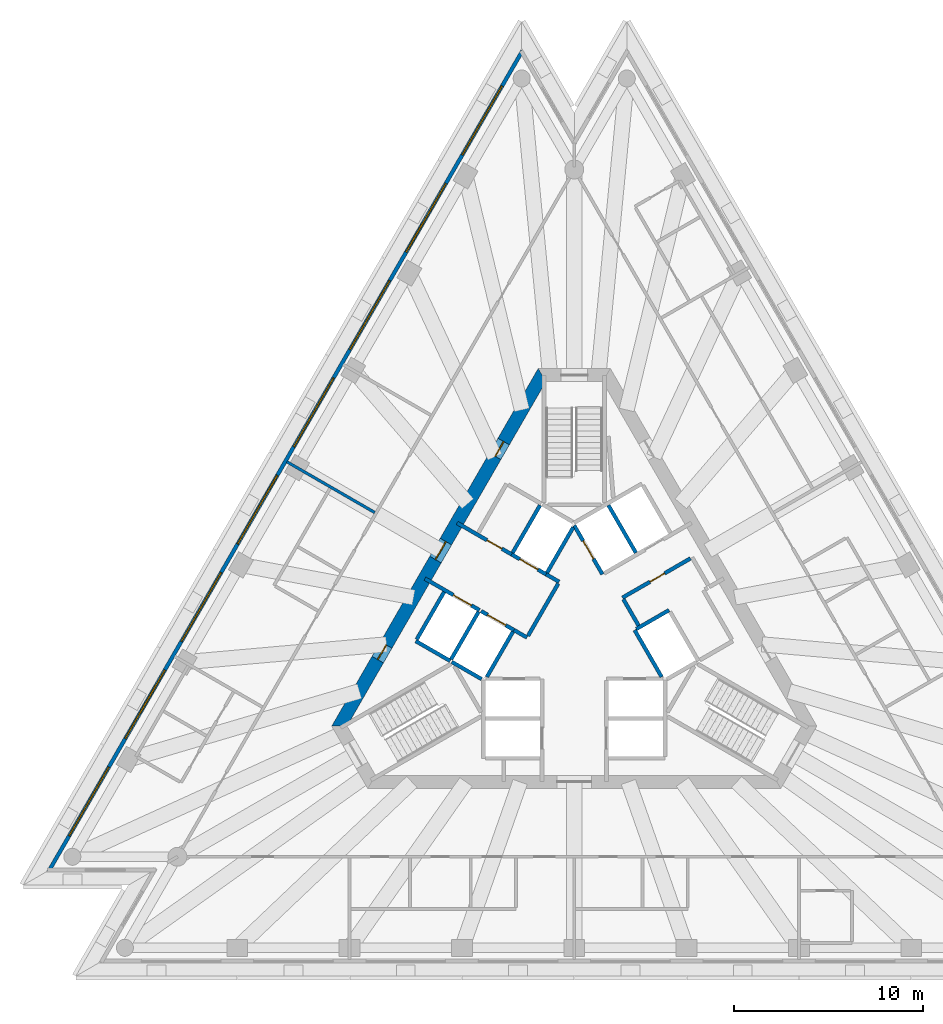
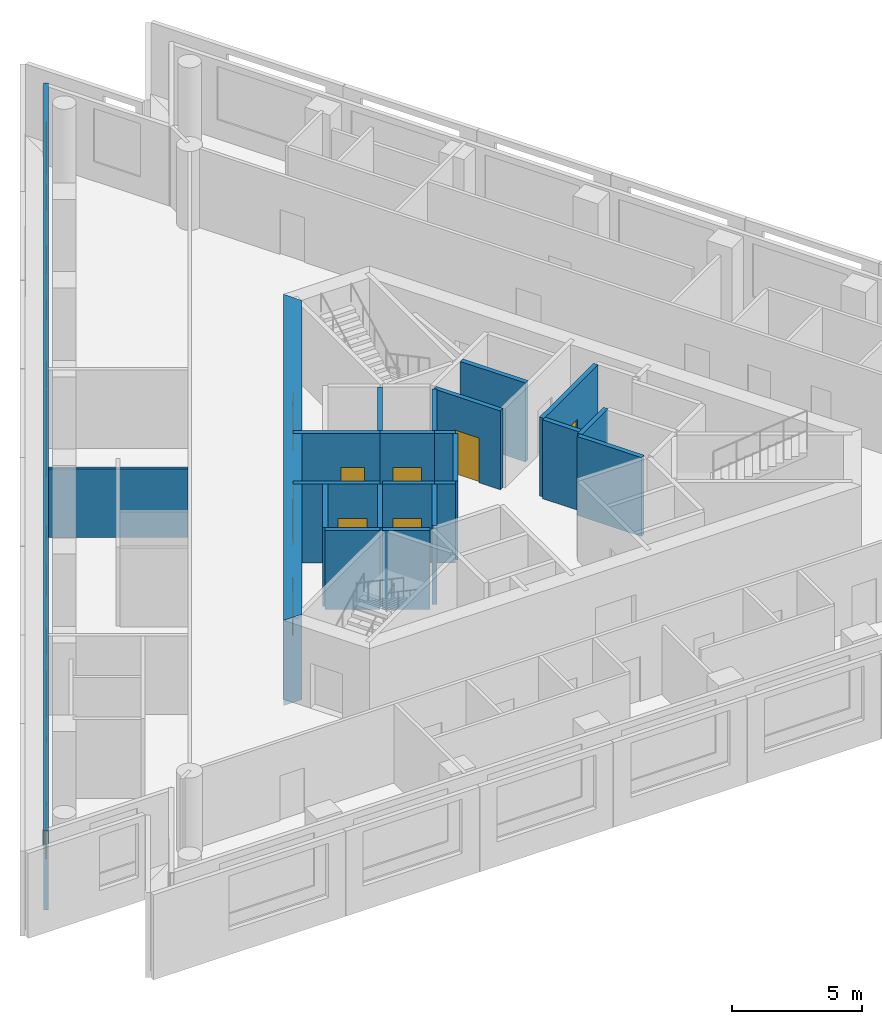
# One storey, part 4 of 9: 23 walls, 9 doors, 8 windows, 17 openings.
"""IFC4 building model written with IfcOpenShell, lengths in metres."""

from ifc_helpers import new_model, si_unit, direction, frame, frame_2d, origin, place, context, subcontext, project, spatial, polyline, rectangle, outline, extrude, material, layer, layer_set, layer_usage, type_object, element, fill, save


model = new_model("IFC4")

# Units and contexts
model_context = context("Model", 3, precision=1e-05, world=origin(), true_north=direction((0.0, 1.0)))
body_context = subcontext(model_context, "Body", "Model", "MODEL_VIEW")
ifc_project = project(units=[si_unit("LENGTHUNIT", "METRE"), si_unit("AREAUNIT", "SQUARE_METRE"), si_unit("VOLUMEUNIT", "CUBIC_METRE"), si_unit("PLANEANGLEUNIT", "RADIAN"), si_unit("MASSUNIT", "GRAM", prefix="KILO")], contexts=[model_context])

# Site, building, storey
site_placement = place(None, origin())
site = spatial("IfcSite", under=ifc_project, at=site_placement, CompositionType="ELEMENT")
building_placement = place(site_placement, origin())
building = spatial("IfcBuilding", under=site, at=building_placement, Name="Triada Interchange Tower", CompositionType="ELEMENT")
storey_placement = place(building_placement, frame((0.0, 0.0, 235.300048828125)))
storey = spatial("IfcBuildingStorey", under=building, at=storey_placement, Name="L55", CompositionType="ELEMENT", Elevation=235.300048828125)

# Walls
ifc_material_1 = material(Name="Concrete C30/37", Category="concrete")
ifc_layer_1 = layer(ifc_material_1, 0.199951171875)
ifc_layer_set_1 = layer_set([ifc_layer_1], Name="CORE WALL 200 EI 120")
wall_type_1 = type_object("IfcWallType", Name="CORE WALL 200 EI 120", PredefinedType="SOLIDWALL", material=ifc_layer_set_1)
wall_1_placement = place(storey_placement, frame((-8.3759765625, -0.70703125, 0.0), z_axis=(0.0, 0.0, 1.0), x_axis=(0.866067520717, -0.499927044236, 0.0)))
element("IfcWall", 1, at=wall_1_placement, inside=storey, type_object=wall_type_1, Name="Wall L53 42", PredefinedType="SOLIDWALL", context=body_context, shape_type="SweptSolid", body=[
    extrude(rectangle(XDim=2.100341796875, YDim=0.199951171875, at=frame_2d((1.05029296875, 0.0))), origin(), (0.0, 0.0, 1.0), 3.699951171875),
])
wall_2_placement = place(storey_placement, frame((-8.325927734375, -0.6201171875, 0.0), z_axis=(0.0, 0.0, 1.0), x_axis=(0.500023687443, 0.866011727401, 0.0)))
element("IfcWall", 2, at=wall_2_placement, inside=storey, type_object=wall_type_1, Name="Wall L53 43", PredefinedType="SOLIDWALL", context=body_context, shape_type="SweptSolid", body=[
    extrude(rectangle(XDim=2.899658203125, YDim=0.199951171875, at=frame_2d((1.44970703125, 0.0))), origin(), (0.0, 0.0, 1.0), 3.699951171875),
])

# Wall, opening, door
wall_3_placement = place(storey_placement, frame((0.0, 5.39990234375, 0.0), z_axis=(0.0, 0.0, 1.0), x_axis=(0.500103862429, -0.865965430478, 0.0)))
wall_3 = element("IfcWall", 3, at=wall_3_placement, inside=storey, type_object=wall_type_1, Name="Wall L53 53", PredefinedType="SOLIDWALL", context=body_context, shape_type="SweptSolid", body=[
    extrude(rectangle(XDim=2.973388671875, YDim=0.199951171875, at=frame_2d((1.48681640625, 0.0))), origin(), (0.0, 0.0, 1.0), 3.699951171875),
])
opening_1_placement = place(wall_3_placement, frame((0.93701171875, 0.0, 0.0)))
opening_1 = element("IfcOpeningElement", 4, at=opening_1_placement, cuts=wall_3, Name="Opening LD-HR5", PredefinedType="OPENING", context=body_context, shape_type="SweptSolid", body=[
    extrude(rectangle(XDim=1.10009765625, YDim=2.10009765625, at=frame_2d((0.550048828125, 1.050048828125))), frame((0.0, 0.10986328125, 0.0), z_axis=(0.0, -1.0, 0.0), x_axis=(1.0, 0.0, 0.0)), (0.0, 0.0, 1.0), 0.219970703125),
])
ifc_material_2 = material(Name="Steel S235 door leaf", Category="steel")
door_type_1 = type_object("IfcDoorType", Name="LIFT LANDING DOOR 1100 EI 120", OperationType="SLIDING_TO_LEFT", PredefinedType="DOOR", material=ifc_material_2)
door_1_placement = place(opening_1_placement, origin())
door_1 = element("IfcDoor", 5, at=door_1_placement, inside=storey, type_object=door_type_1, Name="HR5 landing door L55", OperationType="SLIDING_TO_LEFT", OverallHeight=2.10009765625, OverallWidth=1.10009765625, PredefinedType="DOOR", context=body_context, shape_type="SweptSolid", body=[
    extrude(rectangle(XDim=1.10009765625, YDim=2.10009765625, at=frame_2d((0.550048828125, 1.050048828125))), frame((0.0, 0.02490234375, 0.0), z_axis=(0.0, -1.0, 0.0), x_axis=(1.0, 0.0, 0.0)), (0.0, 0.0, 1.0), 0.050048828125),
])
fill(opening_1, door_1)

# Walls
wall_4_placement = place(storey_placement, frame((3.18994140625, -0.125, 0.0), z_axis=(0.0, 0.0, 1.0), x_axis=(0.499988658015, -0.866031951983, 0.0)))
element("IfcWall", 6, at=wall_4_placement, inside=storey, type_object=wall_type_1, Name="Wall L53 54", PredefinedType="SOLIDWALL", context=body_context, shape_type="SweptSolid", body=[
    extrude(rectangle(XDim=2.85791015625, YDim=0.199951171875, at=frame_2d((1.428955078125, 0.0))), origin(), (0.0, 0.0, 1.0), 3.699951171875),
])
wall_5_placement = place(storey_placement, frame((3.278076171875, -0.071044921875, 0.0), z_axis=(0.0, 0.0, 1.0), x_axis=(0.865855657918, 0.500293893279, 0.0)))
element("IfcWall", 7, at=wall_5_placement, inside=storey, type_object=wall_type_1, Name="Wall L53 58", PredefinedType="SOLIDWALL", context=body_context, shape_type="SweptSolid", body=[
    extrude(rectangle(XDim=1.996826171875, YDim=0.199951171875, at=frame_2d((0.99853515625, 0.0))), origin(), (0.0, 0.0, 1.0), 3.699951171875),
])
wall_6_placement = place(storey_placement, frame((1.806884765625, 6.469970703125, 0.0), z_axis=(0.0, 0.0, 1.0), x_axis=(0.50012328804, -0.865954211699, 0.0)))
element("IfcWall", 8, at=wall_6_placement, inside=storey, type_object=wall_type_1, Name="Wall L53 61", PredefinedType="SOLIDWALL", context=body_context, shape_type="SweptSolid", body=[
    extrude(rectangle(XDim=2.899658203125, YDim=0.199951171875, at=frame_2d((1.44970703125, 0.0))), origin(), (0.0, 0.0, 1.0), 3.699951171875),
])

# Wall, opening, door
wall_7_placement = place(storey_placement, frame((2.548095703125, 1.5869140625, 0.0), z_axis=(0.0, 0.0, 1.0), x_axis=(0.866004344652, 0.500036473714, 0.0)))
wall_7 = element("IfcWall", 9, at=wall_7_placement, inside=storey, type_object=wall_type_1, Name="Wall L53 65", PredefinedType="SOLIDWALL", context=body_context, shape_type="SweptSolid", body=[
    extrude(rectangle(XDim=4.150146484375, YDim=0.199951171875, at=frame_2d((2.0751953125, 0.0))), origin(), (0.0, 0.0, 1.0), 3.699951171875),
])
opening_2_placement = place(wall_7_placement, frame((1.675048828125, 0.0, 0.0)))
opening_2 = element("IfcOpeningElement", 10, at=opening_2_placement, cuts=wall_7, Name="Opening D53-48", PredefinedType="OPENING", context=body_context, shape_type="SweptSolid", body=[
    extrude(rectangle(XDim=0.89990234375, YDim=2.10009765625, at=frame_2d((0.449951171875, 1.050048828125))), frame((0.0, 0.10986328125, 0.0), z_axis=(0.0, -1.0, 0.0), x_axis=(1.0, 0.0, 0.0)), (0.0, 0.0, 1.0), 0.219970703125),
])
door_type_2 = type_object("IfcDoorType", Name="SERVICE DOOR 900 EI2 45-C5S200", OperationType="NOTDEFINED", PredefinedType="DOOR", material=ifc_material_2)
door_2_placement = place(opening_2_placement, origin())
door_2 = element("IfcDoor", 11, at=door_2_placement, inside=storey, type_object=door_type_2, Name="Door D53-48 L55", OperationType="SINGLE_SWING_RIGHT", OverallHeight=2.10009765625, OverallWidth=0.89990234375, PredefinedType="DOOR", context=body_context, shape_type="SweptSolid", body=[
    extrude(rectangle(XDim=0.89990234375, YDim=2.10009765625, at=frame_2d((0.449951171875, 1.050048828125))), frame((0.0, 0.02490234375, 0.0), z_axis=(0.0, -1.0, 0.0), x_axis=(1.0, 0.0, 0.0)), (0.0, 0.0, 1.0), 0.050048828125),
])
fill(opening_2, door_2)

# Wall
wall_8_placement = place(storey_placement, frame((2.597900390625, 1.5, 0.0), z_axis=(0.0, 0.0, 1.0), x_axis=(0.499929347863, -0.866066190972, 0.0)))
element("IfcWall", 12, at=wall_8_placement, inside=storey, type_object=wall_type_1, Name="Wall L53 66", PredefinedType="SOLIDWALL", context=body_context, shape_type="SweptSolid", body=[
    extrude(rectangle(XDim=1.600341796875, YDim=0.199951171875, at=frame_2d((0.80029296875, 0.0))), origin(), (0.0, 0.0, 1.0), 3.699951171875),
])

# Wall, opening, door
ifc_layer_2 = layer(ifc_material_1, 0.199951171875)
ifc_layer_set_2 = layer_set([ifc_layer_2], Name="CORE WALL 200 EI 180")
wall_type_2 = type_object("IfcWallType", Name="CORE WALL 200 EI 180", PredefinedType="SOLIDWALL", material=ifc_layer_set_2)
wall_9_placement = place(storey_placement, frame((-7.89111328125, 2.593017578125, 0.0), z_axis=(0.0, 0.0, 1.0), x_axis=(0.866070917804, -0.499921159118, 0.0)))
wall_9 = element("IfcWall", 13, at=wall_9_placement, inside=storey, type_object=wall_type_2, Name="Wall L53 67", PredefinedType="SOLIDWALL", context=body_context, shape_type="SweptSolid", body=[
    extrude(rectangle(XDim=3.33251953125, YDim=0.199951171875, at=frame_2d((1.666259765625, 0.0))), origin(), (0.0, 0.0, 1.0), 3.699951171875),
])
opening_3_placement = place(wall_9_placement, frame((1.72998046875, 0.0, 0.0)))
opening_3 = element("IfcOpeningElement", 14, at=opening_3_placement, cuts=wall_9, Name="Opening LD-SV1", PredefinedType="OPENING", context=body_context, shape_type="SweptSolid", body=[
    extrude(rectangle(XDim=1.10009765625, YDim=2.10009765625, at=frame_2d((0.550048828125, 1.050048828125))), frame((0.0, 0.10986328125, 0.0), z_axis=(0.0, -1.0, 0.0), x_axis=(1.0, 0.0, 0.0)), (0.0, 0.0, 1.0), 0.219970703125),
])
door_3_placement = place(opening_3_placement, origin())
door_3 = element("IfcDoor", 15, at=door_3_placement, inside=storey, type_object=door_type_1, Name="SV1 landing door L55", OperationType="SLIDING_TO_LEFT", OverallHeight=2.10009765625, OverallWidth=1.10009765625, PredefinedType="DOOR", context=body_context, shape_type="SweptSolid", body=[
    extrude(rectangle(XDim=1.10009765625, YDim=2.10009765625, at=frame_2d((0.550048828125, 1.050048828125))), frame((0.0, 0.02490234375, 0.0), z_axis=(0.0, -1.0, 0.0), x_axis=(1.0, 0.0, 0.0)), (0.0, 0.0, 1.0), 0.050048828125),
])
fill(opening_3, door_3)

# Wall
wall_10_placement = place(storey_placement, frame((-3.18798828125, -0.1220703125, 0.0), z_axis=(0.0, 0.0, 1.0), x_axis=(0.865705793592, -0.50055317294, 0.0)))
element("IfcWall", 16, at=wall_10_placement, inside=storey, type_object=wall_type_2, Name="Wall L53 68", PredefinedType="SOLIDWALL", context=body_context, shape_type="SweptSolid", body=[
    extrude(rectangle(XDim=0.796875, YDim=0.199951171875, at=frame_2d((0.3984375, 0.0))), origin(), (0.0, 0.0, 1.0), 3.699951171875),
])

# Wall, opening, door
wall_11_placement = place(storey_placement, frame((-6.19091796875, 5.537109375, 0.0), z_axis=(0.0, 0.0, 1.0), x_axis=(0.866052607023, -0.499952879648, 0.0)))
wall_11 = element("IfcWall", 17, at=wall_11_placement, inside=storey, type_object=wall_type_2, Name="Wall L53 69", PredefinedType="SOLIDWALL", context=body_context, shape_type="SweptSolid", body=[
    extrude(rectangle(XDim=3.332275390625, YDim=0.199951171875, at=frame_2d((1.666015625, 0.0))), origin(), (0.0, 0.0, 1.0), 3.699951171875),
])
opening_4_placement = place(wall_11_placement, frame((1.830078125, 0.0, 0.0)))
opening_4 = element("IfcOpeningElement", 18, at=opening_4_placement, cuts=wall_11, Name="Opening D53-10", PredefinedType="OPENING", context=body_context, shape_type="SweptSolid", body=[
    extrude(rectangle(XDim=0.89990234375, YDim=2.10009765625, at=frame_2d((0.449951171875, 1.050048828125))), frame((0.0, 0.10986328125, 0.0), z_axis=(0.0, -1.0, 0.0), x_axis=(1.0, 0.0, 0.0)), (0.0, 0.0, 1.0), 0.219970703125),
])
door_type_3 = type_object("IfcDoorType", Name="SERVICE DOOR 900 EI2 90-C5S200", OperationType="NOTDEFINED", PredefinedType="DOOR", material=ifc_material_2)
door_4_placement = place(opening_4_placement, origin())
door_4 = element("IfcDoor", 19, at=door_4_placement, inside=storey, type_object=door_type_3, Name="Door D53-10 L55", OperationType="SINGLE_SWING_LEFT", OverallHeight=2.10009765625, OverallWidth=0.89990234375, PredefinedType="DOOR", context=body_context, shape_type="SweptSolid", body=[
    extrude(rectangle(XDim=0.89990234375, YDim=2.10009765625, at=frame_2d((0.449951171875, 1.050048828125))), frame((0.0, 0.02490234375, 0.0), z_axis=(0.0, -1.0, 0.0), x_axis=(1.0, 0.0, 0.0)), (0.0, 0.0, 1.0), 0.050048828125),
])
fill(opening_4, door_4)

# Walls
wall_12_placement = place(storey_placement, frame((-1.488037109375, 2.822021484375, 0.0), z_axis=(0.0, 0.0, 1.0), x_axis=(0.866236612152, -0.499633997809, 0.0)))
element("IfcWall", 20, at=wall_12_placement, inside=storey, type_object=wall_type_2, Name="Wall L53 70", PredefinedType="SOLIDWALL", context=body_context, shape_type="SweptSolid", body=[
    extrude(rectangle(XDim=0.79638671875, YDim=0.199951171875, at=frame_2d((0.398193359375, 0.0))), origin(), (0.0, 0.0, 1.0), 3.699951171875),
])
wall_13_placement = place(storey_placement, frame((-2.444091796875, -0.43310546875, 0.0), z_axis=(0.0, 0.0, 1.0), x_axis=(0.500035624827, 0.866004834804, 0.0)))
element("IfcWall", 21, at=wall_13_placement, inside=storey, type_object=wall_type_2, Name="Wall L53 73", PredefinedType="SOLIDWALL", context=body_context, shape_type="SweptSolid", body=[
    extrude(rectangle(XDim=3.194091796875, YDim=0.199951171875, at=frame_2d((1.59716796875, 0.0))), origin(), (0.0, 0.0, 1.0), 3.699951171875),
])
wall_14_placement = place(storey_placement, frame((-6.507080078125, -1.669921875, 0.0), z_axis=(0.0, 0.0, 1.0), x_axis=(0.50012328804, 0.865954211699, 0.0)))
element("IfcWall", 22, at=wall_14_placement, inside=storey, type_object=wall_type_2, Name="Shaft wall FF1 L53 74", PredefinedType="SOLIDWALL", context=body_context, shape_type="SweptSolid", body=[
    extrude(rectangle(XDim=2.899658203125, YDim=0.199951171875, at=frame_2d((1.44970703125, 0.0))), origin(), (0.0, 0.0, 1.0), 3.699951171875),
])
wall_15_placement = place(storey_placement, frame((-6.469970703125, -1.806884765625, 0.0), z_axis=(0.0, 0.0, 1.0), x_axis=(0.865883195159, -0.500246231712, 0.0)))
element("IfcWall", 23, at=wall_15_placement, inside=storey, type_object=wall_type_2, Name="Shaft wall FF1 L53 75", PredefinedType="SOLIDWALL", context=body_context, shape_type="SweptSolid", body=[
    extrude(rectangle(XDim=1.8154296875, YDim=0.199951171875, at=frame_2d((0.90771484375, 0.0))), origin(), (0.0, 0.0, 1.0), 3.699951171875),
])

# Wall, opening, door
wall_16_placement = place(storey_placement, frame((-4.922119140625, 0.87890625, 0.0), z_axis=(0.0, 0.0, 1.0), x_axis=(0.866073918653, -0.499915960366, 0.0)))
wall_16 = element("IfcWall", 24, at=wall_16_placement, inside=storey, type_object=wall_type_2, Name="Shaft wall FF1 L53 76", PredefinedType="SOLIDWALL", context=body_context, shape_type="SweptSolid", body=[
    extrude(rectangle(XDim=2.002197265625, YDim=0.199951171875, at=frame_2d((1.0009765625, 0.0))), origin(), (0.0, 0.0, 1.0), 3.699951171875),
])
opening_5_placement = place(wall_16_placement, frame((0.402099609375, 0.0, 0.0)))
opening_5 = element("IfcOpeningElement", 25, at=opening_5_placement, cuts=wall_16, Name="Opening LD-FF1", PredefinedType="OPENING", context=body_context, shape_type="SweptSolid", body=[
    extrude(rectangle(XDim=1.10009765625, YDim=2.10009765625, at=frame_2d((0.550048828125, 1.050048828125))), frame((0.0, 0.10986328125, 0.0), z_axis=(0.0, -1.0, 0.0), x_axis=(1.0, 0.0, 0.0)), (0.0, 0.0, 1.0), 0.219970703125),
])
door_5_placement = place(opening_5_placement, origin())
door_5 = element("IfcDoor", 26, at=door_5_placement, inside=storey, type_object=door_type_1, Name="FF1 landing door L55", OperationType="SLIDING_TO_LEFT", OverallHeight=2.10009765625, OverallWidth=1.10009765625, PredefinedType="DOOR", context=body_context, shape_type="SweptSolid", body=[
    extrude(rectangle(XDim=1.10009765625, YDim=2.10009765625, at=frame_2d((0.550048828125, 1.050048828125))), frame((0.0, 0.02490234375, 0.0), z_axis=(0.0, -1.0, 0.0), x_axis=(1.0, 0.0, 0.0)), (0.0, 0.0, 1.0), 0.050048828125),
])
fill(opening_5, door_5)

# Wall
wall_17_placement = place(storey_placement, frame((-4.618896484375, -2.60009765625, 0.0), z_axis=(0.0, 0.0, 1.0), x_axis=(0.50009492287, 0.865970593103, 0.0)))
element("IfcWall", 27, at=wall_17_placement, inside=storey, type_object=wall_type_2, Name="Shaft wall FF1 L53 77", PredefinedType="SOLIDWALL", context=body_context, shape_type="SweptSolid", body=[
    extrude(rectangle(XDim=2.76123046875, YDim=0.199951171875, at=frame_2d((1.380615234375, 0.0))), origin(), (0.0, 0.0, 1.0), 3.699951171875),
])

# Wall, opening, door
wall_18_placement = place(storey_placement, frame((-3.30908203125, 3.873046875, 0.0), z_axis=(0.0, 0.0, 1.0), x_axis=(0.866098583652, -0.499873227325, 0.0)))
wall_18 = element("IfcWall", 28, at=wall_18_placement, inside=storey, type_object=wall_type_2, Name="Shaft wall FF2 L53 78", PredefinedType="SOLIDWALL", context=body_context, shape_type="SweptSolid", body=[
    extrude(rectangle(XDim=2.1025390625, YDim=0.199951171875, at=frame_2d((1.05126953125, 0.0))), origin(), (0.0, 0.0, 1.0), 3.699951171875),
])
opening_6_placement = place(wall_18_placement, frame((0.501953125, 0.0, 0.0)))
opening_6 = element("IfcOpeningElement", 29, at=opening_6_placement, cuts=wall_18, Name="Opening LD-FF2", PredefinedType="OPENING", context=body_context, shape_type="SweptSolid", body=[
    extrude(rectangle(XDim=1.10009765625, YDim=2.10009765625, at=frame_2d((0.550048828125, 1.050048828125))), frame((0.0, 0.10986328125, 0.0), z_axis=(0.0, -1.0, 0.0), x_axis=(1.0, 0.0, 0.0)), (0.0, 0.0, 1.0), 0.219970703125),
])
door_6_placement = place(opening_6_placement, origin())
door_6 = element("IfcDoor", 30, at=door_6_placement, inside=storey, type_object=door_type_1, Name="FF2 landing door L55", OperationType="SLIDING_TO_LEFT", OverallHeight=2.10009765625, OverallWidth=1.10009765625, PredefinedType="DOOR", context=body_context, shape_type="SweptSolid", body=[
    extrude(rectangle(XDim=1.10009765625, YDim=2.10009765625, at=frame_2d((0.550048828125, 1.050048828125))), frame((0.0, 0.02490234375, 0.0), z_axis=(0.0, -1.0, 0.0), x_axis=(1.0, 0.0, 0.0)), (0.0, 0.0, 1.0), 0.050048828125),
])
fill(opening_6, door_6)

# Walls
wall_19_placement = place(storey_placement, frame((-3.257080078125, 3.958984375, 0.0), z_axis=(0.0, 0.0, 1.0), x_axis=(0.50012328804, 0.865954211699, 0.0)))
element("IfcWall", 31, at=wall_19_placement, inside=storey, type_object=wall_type_2, Name="Shaft wall FF2 L53 79", PredefinedType="SOLIDWALL", context=body_context, shape_type="SweptSolid", body=[
    extrude(rectangle(XDim=2.899658203125, YDim=0.199951171875, at=frame_2d((1.44970703125, 0.0))), origin(), (0.0, 0.0, 1.0), 3.699951171875),
])
wall_20_placement = place(storey_placement, frame((-1.43798828125, 2.908935546875, 0.0), z_axis=(0.0, 0.0, 1.0), x_axis=(0.499829630636, 0.866123744241, 0.0)))
element("IfcWall", 32, at=wall_20_placement, inside=storey, type_object=wall_type_2, Name="Shaft wall FF2 L53 81", PredefinedType="SOLIDWALL", context=body_context, shape_type="SweptSolid", body=[
    extrude(rectangle(XDim=2.7607421875, YDim=0.199951171875, at=frame_2d((1.38037109375, 0.0))), origin(), (0.0, 0.0, 1.0), 3.699951171875),
])

# Wall, openings, doors
ifc_material_3 = material(Name="Concrete C50/60", Category="concrete")
ifc_layer_3 = layer(ifc_material_3, 0.699951171875)
ifc_layer_set_3 = layer_set([ifc_layer_3], Name="Core wall C 700")
wall_type_3 = type_object("IfcWallType", Name="Core wall C 700", PredefinedType="SHEAR", material=ifc_layer_set_3)
wall_21_placement = place(storey_placement, frame((-1.702880859375, 13.35009765625, -0.300048828125), z_axis=(0.0, 0.0, 1.0), x_axis=(-0.500011533395, -0.866018744874, 0.0)))
wall_21 = element("IfcWall", 33, at=wall_21_placement, inside=storey, type_object=wall_type_3, Name="Core wall WC02 L55", PredefinedType="SHEAR", context=body_context, shape_type="SweptSolid", body=[
    extrude(outline(polyline([(-0.201904296875, -0.35009765625), (1.781982421875, -0.35009765625), (3.76611328125, -0.35009765625), (5.75, -0.35009765625), (7.734130859375, -0.35009765625), (9.718017578125, -0.35009765625), (11.7021484375, -0.35009765625), (13.68603515625, -0.35009765625), (15.670166015625, -0.35009765625), (17.654052734375, -0.35009765625), (19.63818359375, -0.35009765625), (21.6220703125, -0.35009765625), (21.218017578125, 0.35009765625), (19.307373046875, 0.35009765625), (17.39697265625, 0.35009765625), (15.486328125, 0.35009765625), (13.57568359375, 0.35009765625), (11.665283203125, 0.35009765625), (9.754638671875, 0.35009765625), (7.84423828125, 0.35009765625), (5.93359375, 0.35009765625), (4.02294921875, 0.35009765625), (2.112548828125, 0.35009765625), (0.201904296875, 0.35009765625), (-0.201904296875, -0.35009765625)])), origin(), (0.0, 0.0, 1.0), 4.0),
])
opening_7_placement = place(wall_21_placement, frame((10.159912109375, 0.0, 0.300048828125)))
opening_7 = element("IfcOpeningElement", 34, at=opening_7_placement, cuts=wall_21, Name="Opening D53-43", PredefinedType="OPENING", context=body_context, shape_type="SweptSolid", body=[
    extrude(rectangle(XDim=1.10009765625, YDim=2.10009765625, at=frame_2d((0.550048828125, 1.050048828125))), frame((0.0, 0.360107421875, 0.0), z_axis=(0.0, -1.0, 0.0), x_axis=(1.0, 0.0, 0.0)), (0.0, 0.0, 1.0), 0.72021484375),
])
opening_8_placement = place(wall_21_placement, frame((16.465087890625, 0.0, 0.300048828125)))
opening_8 = element("IfcOpeningElement", 35, at=opening_8_placement, cuts=wall_21, Name="Opening D53-44", PredefinedType="OPENING", context=body_context, shape_type="SweptSolid", body=[
    extrude(rectangle(XDim=0.89990234375, YDim=2.10009765625, at=frame_2d((0.449951171875, 1.050048828125))), frame((0.0, 0.360107421875, 0.0), z_axis=(0.0, -1.0, 0.0), x_axis=(1.0, 0.0, 0.0)), (0.0, 0.0, 1.0), 0.72021484375),
])
opening_9_placement = place(wall_21_placement, frame((4.054931640625, 0.0, 0.300048828125)))
opening_9 = element("IfcOpeningElement", 36, at=opening_9_placement, cuts=wall_21, Name="Opening D53-46", PredefinedType="OPENING", context=body_context, shape_type="SweptSolid", body=[
    extrude(rectangle(XDim=0.89990234375, YDim=2.10009765625, at=frame_2d((0.449951171875, 1.050048828125))), frame((0.0, 0.360107421875, 0.0), z_axis=(0.0, -1.0, 0.0), x_axis=(1.0, 0.0, 0.0)), (0.0, 0.0, 1.0), 0.72021484375),
])
door_type_4 = type_object("IfcDoorType", Name="FIRE LOBBY DOOR 1100 EI2 90-C5S200", OperationType="NOTDEFINED", PredefinedType="DOOR", material=ifc_material_2)
door_7_placement = place(opening_7_placement, origin())
door_7 = element("IfcDoor", 37, at=door_7_placement, inside=storey, type_object=door_type_4, Name="Door D53-43 L55", OperationType="SINGLE_SWING_RIGHT", OverallHeight=2.10009765625, OverallWidth=1.10009765625, PredefinedType="DOOR", context=body_context, shape_type="SweptSolid", body=[
    extrude(rectangle(XDim=1.10009765625, YDim=2.10009765625, at=frame_2d((0.550048828125, 1.050048828125))), frame((0.0, 0.02490234375, 0.0), z_axis=(0.0, -1.0, 0.0), x_axis=(1.0, 0.0, 0.0)), (0.0, 0.0, 1.0), 0.050048828125),
])
fill(opening_7, door_7)
door_type_5 = type_object("IfcDoorType", Name="RISER ACCESS DOOR 900 EI2 45-C5S200", OperationType="NOTDEFINED", PredefinedType="DOOR", material=ifc_material_2)
door_8_placement = place(opening_8_placement, origin())
door_8 = element("IfcDoor", 38, at=door_8_placement, inside=storey, type_object=door_type_5, Name="Door D53-44 L55", OperationType="SINGLE_SWING_RIGHT", OverallHeight=2.10009765625, OverallWidth=0.89990234375, PredefinedType="DOOR", context=body_context, shape_type="SweptSolid", body=[
    extrude(rectangle(XDim=0.89990234375, YDim=2.10009765625, at=frame_2d((0.449951171875, 1.050048828125))), frame((0.0, 0.02490234375, 0.0), z_axis=(0.0, -1.0, 0.0), x_axis=(1.0, 0.0, 0.0)), (0.0, 0.0, 1.0), 0.050048828125),
])
fill(opening_8, door_8)
door_9_placement = place(opening_9_placement, origin())
door_9 = element("IfcDoor", 39, at=door_9_placement, inside=storey, type_object=door_type_2, Name="Door D53-46 L55", OperationType="SINGLE_SWING_RIGHT", OverallHeight=2.10009765625, OverallWidth=0.89990234375, PredefinedType="DOOR", context=body_context, shape_type="SweptSolid", body=[
    extrude(rectangle(XDim=0.89990234375, YDim=2.10009765625, at=frame_2d((0.449951171875, 1.050048828125))), frame((0.0, 0.02490234375, 0.0), z_axis=(0.0, -1.0, 0.0), x_axis=(1.0, 0.0, 0.0)), (0.0, 0.0, 1.0), 0.050048828125),
])
fill(opening_9, door_9)

# Wall, openings, windows
ifc_material_4 = material(Name="Cement board")
ifc_layer_4 = layer(ifc_material_4, 0.02001953125, Name="Cement board cladding")
ifc_material_5 = material(Name="Sheathing board")
ifc_layer_5 = layer(ifc_material_5, 0.014892578125, Name="Sheathing board")
ifc_material_6 = material(Name="Mineral wool")
ifc_layer_6 = layer(ifc_material_6, 0.14990234375, Name="Mineral wool between steel studs")
ifc_material_7 = material(Name="Gypsum board")
ifc_layer_7 = layer(ifc_material_7, 0.014892578125, Name="Plasterboard lining")
ifc_layer_set_4 = layer_set([ifc_layer_4, ifc_layer_5, ifc_layer_6, ifc_layer_7], Name="External wall 200")
ifc_layer_usage = layer_usage(ifc_layer_set_4, "AXIS2", "POSITIVE", -0.10009765625)
wall_type_4 = type_object("IfcWallType", Name="External wall 200", PredefinedType="ELEMENTEDWALL", material=ifc_layer_set_4)
wall_22_placement = place(storey_placement, frame((-2.73193359375, 30.5009765625, 0.0), z_axis=(0.0, 0.0, 1.0), x_axis=(-0.500023345841, -0.866011924637, 0.0)))
wall_22 = element("IfcWall", 40, at=wall_22_placement, inside=storey, type_object=wall_type_4, material=ifc_layer_usage, Name="External wall L55 NW", PredefinedType="ELEMENTEDWALL", context=body_context, shape_type="SweptSolid", body=[
    extrude(rectangle(XDim=50.07763671875, YDim=0.199951171875, at=frame_2d((25.038818359375, 0.0))), origin(), (0.0, 0.0, 1.0), 3.699951171875),
])
opening_10_placement = place(wall_22_placement, frame((2.1708984375, 0.0, 0.89990234375)))
opening_10 = element("IfcOpeningElement", 41, at=opening_10_placement, cuts=wall_22, Name="Opening WC01", PredefinedType="OPENING", context=body_context, shape_type="SweptSolid", body=[
    extrude(rectangle(XDim=4.199951171875, YDim=2.5, at=frame_2d((2.10009765625, 1.25))), frame((0.0, 0.10986328125, 0.0), z_axis=(0.0, -1.0, 0.0), x_axis=(1.0, 0.0, 0.0)), (0.0, 0.0, 1.0), 0.219970703125),
])
opening_11_placement = place(wall_22_placement, frame((8.10693359375, 0.0, 0.89990234375)))
opening_11 = element("IfcOpeningElement", 42, at=opening_11_placement, cuts=wall_22, Name="Opening WC02", PredefinedType="OPENING", context=body_context, shape_type="SweptSolid", body=[
    extrude(rectangle(XDim=4.199951171875, YDim=2.5, at=frame_2d((2.10009765625, 1.25))), frame((0.0, 0.10986328125, 0.0), z_axis=(0.0, -1.0, 0.0), x_axis=(1.0, 0.0, 0.0)), (0.0, 0.0, 1.0), 0.219970703125),
])
opening_12_placement = place(wall_22_placement, frame((14.0439453125, 0.0, 0.89990234375)))
opening_12 = element("IfcOpeningElement", 43, at=opening_12_placement, cuts=wall_22, Name="Opening WC03", PredefinedType="OPENING", context=body_context, shape_type="SweptSolid", body=[
    extrude(rectangle(XDim=4.199951171875, YDim=2.5, at=frame_2d((2.10009765625, 1.25))), frame((0.0, 0.10986328125, 0.0), z_axis=(0.0, -1.0, 0.0), x_axis=(1.0, 0.0, 0.0)), (0.0, 0.0, 1.0), 0.219970703125),
])
opening_13_placement = place(wall_22_placement, frame((19.97998046875, 0.0, 0.89990234375)))
opening_13 = element("IfcOpeningElement", 44, at=opening_13_placement, cuts=wall_22, Name="Opening WC04", PredefinedType="OPENING", context=body_context, shape_type="SweptSolid", body=[
    extrude(rectangle(XDim=4.199951171875, YDim=2.5, at=frame_2d((2.10009765625, 1.25))), frame((0.0, 0.10986328125, 0.0), z_axis=(0.0, -1.0, 0.0), x_axis=(1.0, 0.0, 0.0)), (0.0, 0.0, 1.0), 0.219970703125),
])
opening_14_placement = place(wall_22_placement, frame((25.9169921875, 0.0, 0.89990234375)))
opening_14 = element("IfcOpeningElement", 45, at=opening_14_placement, cuts=wall_22, Name="Opening WC05", PredefinedType="OPENING", context=body_context, shape_type="SweptSolid", body=[
    extrude(rectangle(XDim=4.199951171875, YDim=2.5, at=frame_2d((2.10009765625, 1.25))), frame((0.0, 0.10986328125, 0.0), z_axis=(0.0, -1.0, 0.0), x_axis=(1.0, 0.0, 0.0)), (0.0, 0.0, 1.0), 0.219970703125),
])
opening_15_placement = place(wall_22_placement, frame((31.85302734375, 0.0, 0.89990234375)))
opening_15 = element("IfcOpeningElement", 46, at=opening_15_placement, cuts=wall_22, Name="Opening WC06", PredefinedType="OPENING", context=body_context, shape_type="SweptSolid", body=[
    extrude(rectangle(XDim=4.199951171875, YDim=2.5, at=frame_2d((2.10009765625, 1.25))), frame((0.0, 0.10986328125, 0.0), z_axis=(0.0, -1.0, 0.0), x_axis=(1.0, 0.0, 0.0)), (0.0, 0.0, 1.0), 0.219970703125),
])
opening_16_placement = place(wall_22_placement, frame((37.7900390625, 0.0, 0.89990234375)))
opening_16 = element("IfcOpeningElement", 47, at=opening_16_placement, cuts=wall_22, Name="Opening WC07", PredefinedType="OPENING", context=body_context, shape_type="SweptSolid", body=[
    extrude(rectangle(XDim=4.199951171875, YDim=2.5, at=frame_2d((2.10009765625, 1.25))), frame((0.0, 0.10986328125, 0.0), z_axis=(0.0, -1.0, 0.0), x_axis=(1.0, 0.0, 0.0)), (0.0, 0.0, 1.0), 0.219970703125),
])
opening_17_placement = place(wall_22_placement, frame((43.72607421875, 0.0, 0.89990234375)))
opening_17 = element("IfcOpeningElement", 48, at=opening_17_placement, cuts=wall_22, Name="Opening WC08", PredefinedType="OPENING", context=body_context, shape_type="SweptSolid", body=[
    extrude(rectangle(XDim=4.199951171875, YDim=2.5, at=frame_2d((2.10009765625, 1.25))), frame((0.0, 0.10986328125, 0.0), z_axis=(0.0, -1.0, 0.0), x_axis=(1.0, 0.0, 0.0)), (0.0, 0.0, 1.0), 0.219970703125),
])
ifc_material_8 = material(Name="Double glazed aluminium window", Category="aluminium")
window_type = type_object("IfcWindowType", Name="Ribbon window C face", PartitioningType="SINGLE_PANEL", PredefinedType="WINDOW", material=ifc_material_8)
window_1_placement = place(opening_10_placement, origin())
window_1 = element("IfcWindow", 49, at=window_1_placement, inside=storey, type_object=window_type, Name="Window L55 NW 1", OverallHeight=2.5, OverallWidth=4.199951171875, PartitioningType="SINGLE_PANEL", PredefinedType="WINDOW", context=body_context, shape_type="SweptSolid", body=[
    extrude(rectangle(XDim=4.199951171875, YDim=2.5, at=frame_2d((2.10009765625, 1.25))), frame((0.0, 0.030029296875, 0.0), z_axis=(0.0, -1.0, 0.0), x_axis=(1.0, 0.0, 0.0)), (0.0, 0.0, 1.0), 0.06005859375),
])
fill(opening_10, window_1)
window_2_placement = place(opening_11_placement, origin())
window_2 = element("IfcWindow", 50, at=window_2_placement, inside=storey, type_object=window_type, Name="Window L55 NW 2", OverallHeight=2.5, OverallWidth=4.199951171875, PartitioningType="SINGLE_PANEL", PredefinedType="WINDOW", context=body_context, shape_type="SweptSolid", body=[
    extrude(rectangle(XDim=4.199951171875, YDim=2.5, at=frame_2d((2.10009765625, 1.25))), frame((0.0, 0.030029296875, 0.0), z_axis=(0.0, -1.0, 0.0), x_axis=(1.0, 0.0, 0.0)), (0.0, 0.0, 1.0), 0.06005859375),
])
fill(opening_11, window_2)
window_3_placement = place(opening_12_placement, origin())
window_3 = element("IfcWindow", 51, at=window_3_placement, inside=storey, type_object=window_type, Name="Window L55 NW 3", OverallHeight=2.5, OverallWidth=4.199951171875, PartitioningType="SINGLE_PANEL", PredefinedType="WINDOW", context=body_context, shape_type="SweptSolid", body=[
    extrude(rectangle(XDim=4.199951171875, YDim=2.5, at=frame_2d((2.10009765625, 1.25))), frame((0.0, 0.030029296875, 0.0), z_axis=(0.0, -1.0, 0.0), x_axis=(1.0, 0.0, 0.0)), (0.0, 0.0, 1.0), 0.06005859375),
])
fill(opening_12, window_3)
window_4_placement = place(opening_13_placement, origin())
window_4 = element("IfcWindow", 52, at=window_4_placement, inside=storey, type_object=window_type, Name="Window L55 NW 4", OverallHeight=2.5, OverallWidth=4.199951171875, PartitioningType="SINGLE_PANEL", PredefinedType="WINDOW", context=body_context, shape_type="SweptSolid", body=[
    extrude(rectangle(XDim=4.199951171875, YDim=2.5, at=frame_2d((2.10009765625, 1.25))), frame((0.0, 0.030029296875, 0.0), z_axis=(0.0, -1.0, 0.0), x_axis=(1.0, 0.0, 0.0)), (0.0, 0.0, 1.0), 0.06005859375),
])
fill(opening_13, window_4)
window_5_placement = place(opening_14_placement, origin())
window_5 = element("IfcWindow", 53, at=window_5_placement, inside=storey, type_object=window_type, Name="Window L55 NW 5", OverallHeight=2.5, OverallWidth=4.199951171875, PartitioningType="SINGLE_PANEL", PredefinedType="WINDOW", context=body_context, shape_type="SweptSolid", body=[
    extrude(rectangle(XDim=4.199951171875, YDim=2.5, at=frame_2d((2.10009765625, 1.25))), frame((0.0, 0.030029296875, 0.0), z_axis=(0.0, -1.0, 0.0), x_axis=(1.0, 0.0, 0.0)), (0.0, 0.0, 1.0), 0.06005859375),
])
fill(opening_14, window_5)
window_6_placement = place(opening_15_placement, origin())
window_6 = element("IfcWindow", 54, at=window_6_placement, inside=storey, type_object=window_type, Name="Window L55 NW 6", OverallHeight=2.5, OverallWidth=4.199951171875, PartitioningType="SINGLE_PANEL", PredefinedType="WINDOW", context=body_context, shape_type="SweptSolid", body=[
    extrude(rectangle(XDim=4.199951171875, YDim=2.5, at=frame_2d((2.10009765625, 1.25))), frame((0.0, 0.030029296875, 0.0), z_axis=(0.0, -1.0, 0.0), x_axis=(1.0, 0.0, 0.0)), (0.0, 0.0, 1.0), 0.06005859375),
])
fill(opening_15, window_6)
window_7_placement = place(opening_16_placement, origin())
window_7 = element("IfcWindow", 55, at=window_7_placement, inside=storey, type_object=window_type, Name="Window L55 NW 7", OverallHeight=2.5, OverallWidth=4.199951171875, PartitioningType="SINGLE_PANEL", PredefinedType="WINDOW", context=body_context, shape_type="SweptSolid", body=[
    extrude(rectangle(XDim=4.199951171875, YDim=2.5, at=frame_2d((2.10009765625, 1.25))), frame((0.0, 0.030029296875, 0.0), z_axis=(0.0, -1.0, 0.0), x_axis=(1.0, 0.0, 0.0)), (0.0, 0.0, 1.0), 0.06005859375),
])
fill(opening_16, window_7)
window_8_placement = place(opening_17_placement, origin())
window_8 = element("IfcWindow", 56, at=window_8_placement, inside=storey, type_object=window_type, Name="Window L55 NW 8", OverallHeight=2.5, OverallWidth=4.199951171875, PartitioningType="SINGLE_PANEL", PredefinedType="WINDOW", context=body_context, shape_type="SweptSolid", body=[
    extrude(rectangle(XDim=4.199951171875, YDim=2.5, at=frame_2d((2.10009765625, 1.25))), frame((0.0, 0.030029296875, 0.0), z_axis=(0.0, -1.0, 0.0), x_axis=(1.0, 0.0, 0.0)), (0.0, 0.0, 1.0), 0.06005859375),
])
fill(opening_17, window_8)

# Wall
ifc_material_9 = material(Name="Gypsum board partition")
ifc_layer_8 = layer(ifc_material_9, 0.14990234375)
ifc_layer_set_5 = layer_set([ifc_layer_8], Name="PARTITION 150 EI 180")
wall_type_5 = type_object("IfcWallType", Name="PARTITION 150 EI 180", PredefinedType="PARTITIONING", material=ifc_layer_set_5)
wall_23_placement = place(storey_placement, frame((-15.18798828125, 8.76806640625, 0.0), z_axis=(0.0, 0.0, 1.0), x_axis=(0.866032438121, -0.499987815973, 0.0)))
element("IfcWall", 57, at=wall_23_placement, inside=storey, type_object=wall_type_5, Name="Wall L53 6", PredefinedType="PARTITIONING", context=body_context, shape_type="SweptSolid", body=[
    extrude(rectangle(XDim=5.362548828125, YDim=0.14990234375, at=frame_2d((2.68115234375, 0.0))), origin(), (0.0, 0.0, 1.0), 3.199951171875),
])

save(model, "model.ifc")
